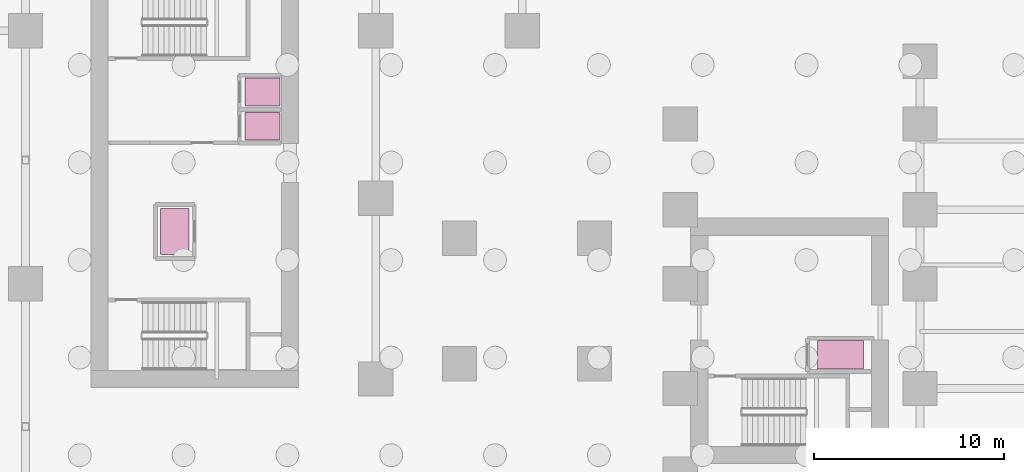
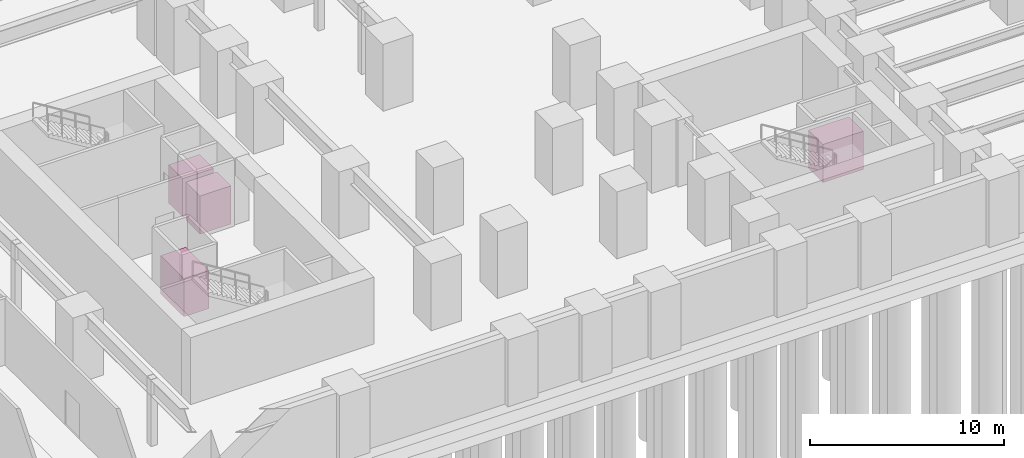
# One storey, part 15 of 15: 4 transport elements.
"""IFC4 building model written with IfcOpenShell, lengths in metres."""

from ifc_helpers import new_model, si_unit, direction, frame, origin, origin_2d, place, context, subcontext, project, spatial, rectangle, extrude, source, transform, mapped, material, type_object, element, save


model = new_model("IFC4")

# Units and contexts
model_context = context("Model", 3, precision=1e-05, world=origin(), true_north=direction((0.0, 1.0)))
body_context = subcontext(model_context, "Body", "Model", "MODEL_VIEW")
ifc_project = project(units=[si_unit("LENGTHUNIT", "METRE"), si_unit("AREAUNIT", "SQUARE_METRE"), si_unit("VOLUMEUNIT", "CUBIC_METRE"), si_unit("PLANEANGLEUNIT", "RADIAN"), si_unit("MASSUNIT", "GRAM", prefix="KILO")], contexts=[model_context])

# Site, building, storey
site_placement = place(None, origin())
site = spatial("IfcSite", under=ifc_project, at=site_placement, CompositionType="ELEMENT")
building_placement = place(site_placement, origin())
building = spatial("IfcBuilding", under=site, at=building_placement, Name="Kharzan Plaza Tower", CompositionType="ELEMENT")
storey_placement = place(building_placement, frame((0.0, 0.0, -9.0)))
storey = spatial("IfcBuildingStorey", under=building, at=storey_placement, Name="B02", CompositionType="ELEMENT", Elevation=-9.0)

# Transport elements
ifc_material_1 = material(Name="Fire-Rated Stainless Steel Cab Assembly", Category="steel")
transport_element_type_1 = type_object("IfcTransportElementType", Name="LFT-FIRE-1600", PredefinedType="ELEVATOR", material=ifc_material_1)
shared_shape_1 = source(origin(), body_context, "Body", "SweptSolid", [
    extrude(rectangle(XDim=1.85009765625, YDim=1.449951171875, at=origin_2d()), origin(), (0.0, 0.0, 1.0), 2.39990234375),
])
for number, where, z_axis, x_axis, name in (
    (1, (13.050048828125, 21.780029296875, 0.0), (0.0, 0.0, 1.0), (1.0, 0.0, 0.0), "Firefighting Lift FFL-1 (B02-L80-CROWN)"),
    (2, (13.050048828125, 23.580078125, 0.0), (0.0, 0.0, 1.0), (1.0, 0.0, 0.0), "Firefighting Lift FFL-2 (B02-L80-CROWN)"),
):
    element("IfcTransportElement", number, at=place(storey_placement, frame(where, z_axis=z_axis, x_axis=x_axis)), inside=storey, type_object=transport_element_type_1, Name=name, PredefinedType="ELEVATOR", context=body_context, shape_type="MappedRepresentation", body=[
        mapped(shared_shape_1, transform((0.0, 0.0, 0.0), x_axis=(1.0, 0.0, 0.0), y_axis=(0.0, 1.0, 0.0), z_axis=(0.0, 0.0, 1.0))),
    ])
ifc_material_2 = material(Name="Heavy-Duty Stainless Steel Stretcher Cab", Category="steel")
transport_element_type_2 = type_object("IfcTransportElementType", Name="LFT-SERV-2500", PredefinedType="ELEVATOR", material=ifc_material_2)
shared_shape_2 = source(origin(), body_context, "Body", "SweptSolid", [
    extrude(rectangle(XDim=1.5, YDim=2.39990234375, at=origin_2d()), origin(), (0.0, 0.0, 1.0), 2.39990234375),
])
transport_element_1_placement = place(storey_placement, frame((8.449951171875, 16.25, 0.0), z_axis=(0.0, 0.0, 1.0), x_axis=(1.0, 0.0, 0.0)))
element("IfcTransportElement", 3, at=transport_element_1_placement, inside=storey, type_object=transport_element_type_2, Name="Service Lift SVL-1 (B02-L80-CROWN)", PredefinedType="ELEVATOR", context=body_context, shape_type="MappedRepresentation", body=[
    mapped(shared_shape_2, transform((0.0, 0.0, 0.0), x_axis=(1.0, 0.0, 0.0), y_axis=(0.0, 1.0, 0.0), z_axis=(0.0, 0.0, 1.0))),
])
shared_shape_3 = source(origin(), body_context, "Body", "SweptSolid", [
    extrude(rectangle(XDim=2.39990234375, YDim=1.5, at=origin_2d()), origin(), (0.0, 0.0, 1.0), 2.39990234375),
])
transport_element_2_placement = place(storey_placement, frame((43.425048828125, 9.77001953125, 0.0), z_axis=(0.0, 0.0, 1.0), x_axis=(1.0, 0.0, 0.0)))
element("IfcTransportElement", 4, at=transport_element_2_placement, inside=storey, type_object=transport_element_type_2, Name="Service Lift SVL-2 (B02-L70)", PredefinedType="ELEVATOR", context=body_context, shape_type="MappedRepresentation", body=[
    mapped(shared_shape_3, transform((0.0, 0.0, 0.0), x_axis=(1.0, 0.0, 0.0), y_axis=(0.0, 1.0, 0.0), z_axis=(0.0, 0.0, 1.0))),
])

save(model, "model.ifc")
